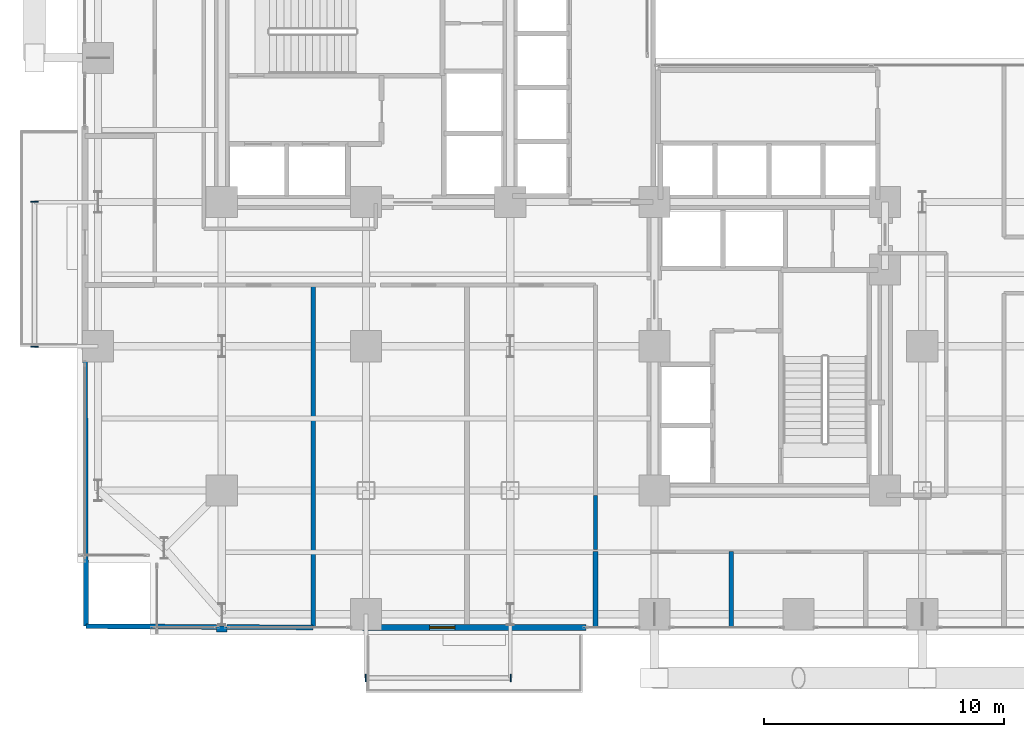
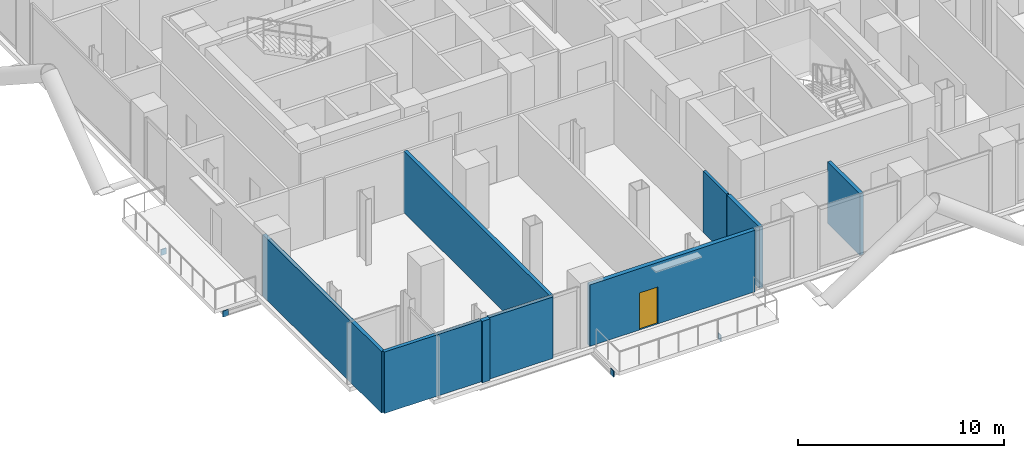
# One storey, part 19 of 25: 9 walls, 4 plates, 1 door, 1 opening.
"""IFC4 building model written with IfcOpenShell, lengths in metres."""

from ifc_helpers import new_model, si_unit, direction, frame, frame_2d, origin, origin_2d, place, context, subcontext, project, spatial, rectangle, extrude, material, layer, layer_set, type_object, element, fill, save


model = new_model("IFC4")

# Units and contexts
model_context = context("Model", 3, precision=1e-05, world=origin(), true_north=direction((0.0, 1.0)))
body_context = subcontext(model_context, "Body", "Model", "MODEL_VIEW")
ifc_project = project(units=[si_unit("LENGTHUNIT", "METRE"), si_unit("AREAUNIT", "SQUARE_METRE"), si_unit("VOLUMEUNIT", "CUBIC_METRE"), si_unit("PLANEANGLEUNIT", "RADIAN"), si_unit("MASSUNIT", "GRAM", prefix="KILO"), si_unit("THERMODYNAMICTEMPERATUREUNIT", "KELVIN"), si_unit("POWERUNIT", "WATT")], contexts=[model_context])

# Site, building, storey
site_placement = place(None, origin())
site = spatial("IfcSite", under=ifc_project, at=site_placement, CompositionType="ELEMENT")
building_placement = place(site_placement, origin())
building = spatial("IfcBuilding", under=site, at=building_placement, Name="Svarakhadi Broadcast Tower", CompositionType="ELEMENT")
storey_placement = place(building_placement, frame((0.0, 0.0, 67.5)))
storey = spatial("IfcBuildingStorey", under=building, at=storey_placement, Name="L15", CompositionType="ELEMENT", Elevation=67.5)

# Plates
ifc_material_1 = material(Name="Steel S460ML (IS 2062 E450BR)", Category="steel")
ifc_layer_1 = layer(ifc_material_1, 0.028076171875)
ifc_layer_set_1 = layer_set([ifc_layer_1], Name="Steel S460ML (IS 2062 E450BR)")
plate_type = type_object("IfcPlateType", Name="Cap_Plate_CP02", PredefinedType="USERDEFINED", material=ifc_layer_set_1)
for number, where, z_axis, x_axis, name in (
    (1, (11.985107421875, -1.800048828125, -0.580078125), (0.0, 0.0, 1.0), (1.0, 0.0, 0.0), "L15 Balcony Spandrel End Cap Plate 1F-A"),
    (2, (18.014892578125, -1.800048828125, -0.580078125), (0.0, 0.0, 1.0), (1.0, 0.0, 0.0), "L15 Balcony Spandrel End Cap Plate 1F-B"),
):
    element("IfcPlate", number, at=place(storey_placement, frame(where, z_axis=z_axis, x_axis=x_axis)), inside=storey, type_object=plate_type, Name=name, ObjectType="FLANGE_PLATE", PredefinedType="USERDEFINED", context=body_context, shape_type="SweptSolid", body=[
        extrude(rectangle(XDim=0.0400390625, YDim=0.300048828125, at=origin_2d()), origin(), (0.0, 0.0, 1.0), 0.360107421875),
    ])
for number, where, z_axis, x_axis, name in (
    (3, (-1.800048828125, 11.985107421875, -0.580078125), (0.0, 0.0, 1.0), (1.0, 0.0, 0.0), "L15 Balcony Spandrel End Cap Plate 2F-A"),
    (4, (-1.800048828125, 18.014892578125, -0.580078125), (0.0, 0.0, 1.0), (1.0, 0.0, 0.0), "L15 Balcony Spandrel End Cap Plate 2F-B"),
):
    element("IfcPlate", number, at=place(storey_placement, frame(where, z_axis=z_axis, x_axis=x_axis)), inside=storey, type_object=plate_type, Name=name, ObjectType="FLANGE_PLATE", PredefinedType="USERDEFINED", context=body_context, shape_type="SweptSolid", body=[
        extrude(rectangle(XDim=0.300048828125, YDim=0.0400390625, at=origin_2d()), origin(), (0.0, 0.0, 1.0), 0.360107421875),
    ])

# Walls
ifc_material_2 = material(Name="Double-Stud Acoustic Studio Partition STC-62", Category="gypsum")
ifc_layer_2 = layer(ifc_material_2, 0.199951171875)
ifc_layer_set_2 = layer_set([ifc_layer_2], Name="Double-Stud Acoustic Studio Partition STC-62")
wall_type_1 = type_object("IfcWallType", Name="Wall_Acoust_200", PredefinedType="PARTITIONING", material=ifc_layer_set_2)
wall_1_placement = place(storey_placement, frame((0.35009765625, 0.35009765625, 0.0), z_axis=(0.0, 0.0, 1.0), x_axis=(0.99998595132, -0.005300675722, 0.0)))
element("IfcWall", 5, at=wall_1_placement, inside=storey, type_object=wall_type_1, Name="L15 Waterfront Broadcast Staff Dining Hall Wall", PredefinedType="PARTITIONING", context=body_context, shape_type="SweptSolid", body=[
    extrude(rectangle(XDim=5.434814453125, YDim=0.199951171875, at=frame_2d((2.71728515625, 0.0))), origin(), (0.0, 0.0, 1.0), 3.64990234375),
])
wall_2_placement = place(storey_placement, frame((6.215087890625, 0.319091796875, 0.0), z_axis=(0.0, 0.0, 1.0), x_axis=(0.999985892136, -0.005311829174, 0.0)))
element("IfcWall", 6, at=wall_2_placement, inside=storey, type_object=wall_type_1, Name="L15 Waterfront Broadcast Staff Dining Hall Wall", PredefinedType="PARTITIONING", context=body_context, shape_type="SweptSolid", body=[
    extrude(rectangle(XDim=3.5849609375, YDim=0.199951171875, at=frame_2d((1.79248046875, 0.0))), origin(), (0.0, 0.0, 1.0), 3.64990234375),
])
wall_3_placement = place(storey_placement, frame((0.35009765625, 0.35009765625, 0.0), z_axis=(0.0, 0.0, 1.0), x_axis=(-0.003522599314, 0.999993795628, 0.0)))
element("IfcWall", 7, at=wall_3_placement, inside=storey, type_object=wall_type_1, Name="L15 Waterfront Broadcast Staff Dining Hall Wall", PredefinedType="PARTITIONING", context=body_context, shape_type="SweptSolid", body=[
    extrude(rectangle(XDim=11.5048828125, YDim=0.199951171875, at=frame_2d((5.75244140625, 0.0))), origin(), (0.0, 0.0, 1.0), 3.64990234375),
])
wall_4_placement = place(storey_placement, frame((9.800048828125, 0.300048828125, 0.0), z_axis=(0.0, 0.0, 1.0), x_axis=(0.0, 1.0, 0.0)))
element("IfcWall", 8, at=wall_4_placement, inside=storey, type_object=wall_type_1, Name="L15 Waterfront Broadcast Staff Dining Hall Wall", PredefinedType="PARTITIONING", context=body_context, shape_type="SweptSolid", body=[
    extrude(rectangle(XDim=14.25, YDim=0.199951171875, at=frame_2d((7.125, 0.0))), origin(), (0.0, 0.0, 1.0), 3.64990234375),
])
for number, where, z_axis, x_axis, name in (
    (9, (21.550048828125, 0.300048828125, 0.0), (0.0, 0.0, 1.0), (0.0, 1.0, 0.0), "L15 South Harbour Editorial Desk Wall"),
    (10, (27.199951171875, 0.300048828125, 0.0), (0.0, 0.0, 1.0), (0.0, 1.0, 0.0), "L15 South Harbour Editorial Desk Wall"),
):
    element("IfcWall", number, at=place(storey_placement, frame(where, z_axis=z_axis, x_axis=x_axis)), inside=storey, type_object=wall_type_1, Name=name, PredefinedType="PARTITIONING", context=body_context, shape_type="SweptSolid", body=[
        extrude(rectangle(XDim=3.14990234375, YDim=0.199951171875, at=frame_2d((1.574951171875, 0.0))), origin(), (0.0, 0.0, 1.0), 3.64990234375),
    ])

# Wall, opening, door
ifc_material_3 = material(Name="Concrete C40/50 (IS 456 M50)", Category="concrete")
ifc_layer_3 = layer(ifc_material_3, 0.239990234375)
ifc_layer_set_3 = layer_set([ifc_layer_3], Name="Concrete C40/50 (IS 456 M50)")
wall_type_2 = type_object("IfcWallType", Name="Wall_Ext_240", PredefinedType="SOLIDWALL", material=ifc_layer_set_3)
wall_5_placement = place(storey_placement, frame((21.14501953125, 0.300048828125, 0.0), z_axis=(0.0, 0.0, 1.0), x_axis=(-1.0, 0.0, 0.0)))
wall_5 = element("IfcWall", 11, at=wall_5_placement, inside=storey, type_object=wall_type_2, Name="L15 South Tree Balcony Spandrel Wall", PredefinedType="SOLIDWALL", context=body_context, shape_type="SweptSolid", body=[
    extrude(rectangle(XDim=9.2900390625, YDim=0.239990234375, at=frame_2d((4.64501953125, 0.0))), origin(), (0.0, 0.0, 1.0), 3.64990234375),
])
opening_placement = place(wall_5_placement, frame((5.449951171875, 0.0, 0.0)))
opening = element("IfcOpeningElement", 12, at=opening_placement, cuts=wall_5, Name="Opening ED-05", PredefinedType="OPENING", context=body_context, shape_type="SweptSolid", body=[
    extrude(rectangle(XDim=1.050048828125, YDim=2.199951171875, at=frame_2d((0.52490234375, 1.10009765625))), frame((0.0, 0.1298828125, 0.0), z_axis=(0.0, -1.0, 0.0), x_axis=(1.0, 0.0, 0.0)), (0.0, 0.0, 1.0), 0.260009765625),
])
ifc_material_4 = material(Name="Anodised Bronze Aluminium AA 6063-T6", Category="aluminium")
door_type = type_object("IfcDoorType", Name="Door_Ext_ED05", OperationType="SINGLE_SWING_LEFT", PredefinedType="DOOR", material=ifc_material_4)
door_placement = place(opening_placement, origin())
door = element("IfcDoor", 13, at=door_placement, inside=storey, type_object=door_type, Name="L15 South Tree Balcony Door", OperationType="SINGLE_SWING_LEFT", OverallHeight=2.199951171875, OverallWidth=1.050048828125, PredefinedType="DOOR", context=body_context, shape_type="SweptSolid", body=[
    extrude(rectangle(XDim=1.050048828125, YDim=2.199951171875, at=frame_2d((0.52490234375, 1.10009765625))), frame((0.0, 0.02490234375, 0.0), z_axis=(0.0, -1.0, 0.0), x_axis=(1.0, 0.0, 0.0)), (0.0, 0.0, 1.0), 0.050048828125),
])
fill(opening, door)

# Walls
wall_6_placement = place(storey_placement, frame((6.215087890625, 0.239990234375, 0.0), z_axis=(0.0, 0.0, 1.0), x_axis=(-1.0, 0.0, 0.0)))
element("IfcWall", 14, at=wall_6_placement, inside=storey, type_object=wall_type_2, Name="L15 Perimeter Bronze Spandrel Closure Wall 06", PredefinedType="SOLIDWALL", context=body_context, shape_type="SweptSolid", body=[
    extrude(rectangle(XDim=0.43017578125, YDim=0.239990234375, at=frame_2d((0.215087890625, 0.0))), origin(), (0.0, 0.0, 1.0), 3.64990234375),
])
ifc_material_5 = material(Name="Autoclaved Aerated Concrete Blockwork 150 mm", Category="masonry")
ifc_layer_4 = layer(ifc_material_5, 0.14990234375)
ifc_layer_set_4 = layer_set([ifc_layer_4], Name="Autoclaved Aerated Concrete Blockwork 150 mm")
wall_type_3 = type_object("IfcWallType", Name="Wall_Part_150", PredefinedType="PARTITIONING", material=ifc_layer_set_4)
wall_7_placement = place(storey_placement, frame((21.550048828125, 3.550048828125, 0.0), z_axis=(0.0, 0.0, 1.0), x_axis=(0.0, 1.0, 0.0)))
element("IfcWall", 15, at=wall_7_placement, inside=storey, type_object=wall_type_3, Name="L15 Broadcast Corridor Wall", PredefinedType="PARTITIONING", context=body_context, shape_type="SweptSolid", body=[
    extrude(rectangle(XDim=2.25, YDim=0.14990234375, at=frame_2d((1.125, 0.0))), origin(), (0.0, 0.0, 1.0), 3.64990234375),
])

save(model, "model.ifc")
